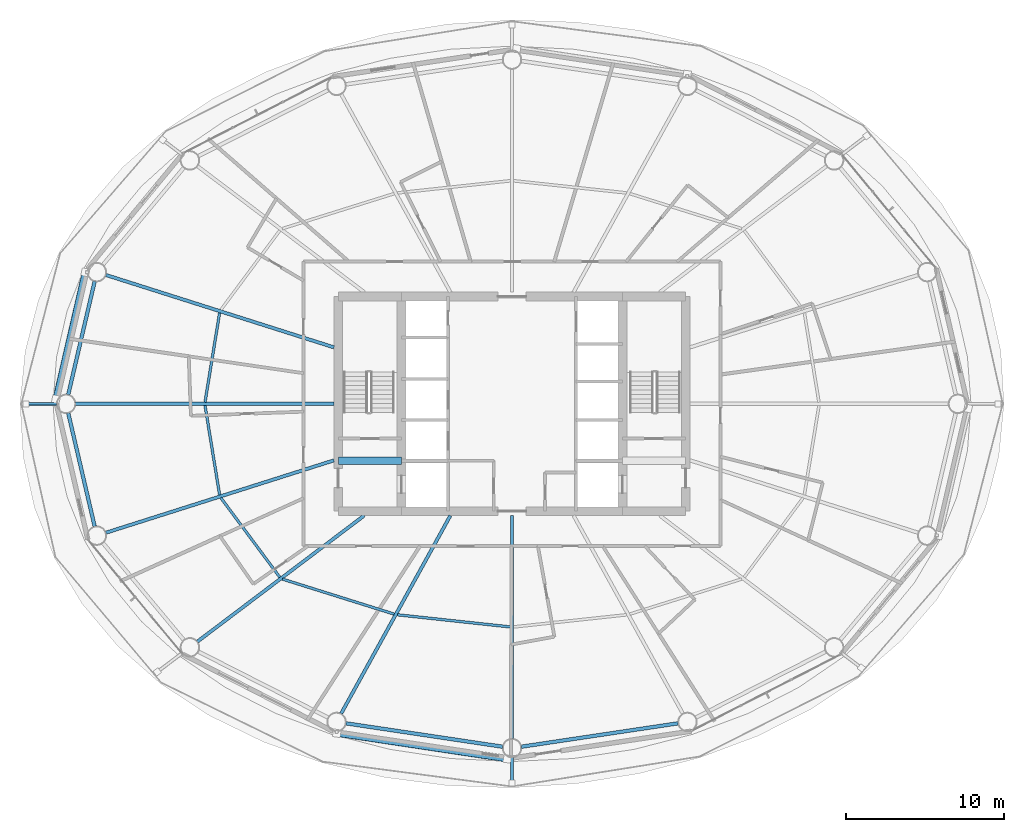
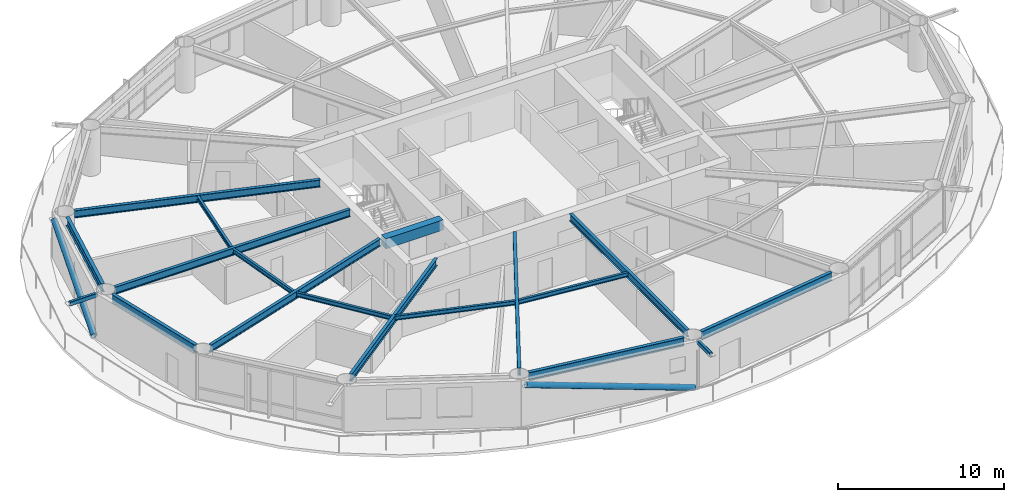
# One storey, part 3 of 24: 16 beams, 4 members.
"""IFC4 building model written with IfcOpenShell, lengths in metres."""

from ifc_helpers import new_model, si_unit, direction, frame, origin, origin_2d, place, context, subcontext, project, spatial, rectangle, hollow_rectangle, hollow_circle, i_section, extrude, material, material_profile, profile_set, type_object, element, save


model = new_model("IFC4")

# Units and contexts
model_context = context("Model", 3, precision=1e-05, world=origin(), true_north=direction((0.0, 1.0)))
body_context = subcontext(model_context, "Body", "Model", "MODEL_VIEW")
ifc_project = project(units=[si_unit("LENGTHUNIT", "METRE"), si_unit("AREAUNIT", "SQUARE_METRE"), si_unit("VOLUMEUNIT", "CUBIC_METRE"), si_unit("PLANEANGLEUNIT", "RADIAN"), si_unit("MASSUNIT", "GRAM", prefix="KILO")], contexts=[model_context])

# Site, building, storey
site_placement = place(None, origin())
site = spatial("IfcSite", under=ifc_project, at=site_placement, CompositionType="ELEMENT")
building_placement = place(site_placement, origin())
building = spatial("IfcBuilding", under=site, at=building_placement, Name="Sarneth Arch Tower", CompositionType="ELEMENT")
storey_placement = place(building_placement, frame((0.0, 0.0, 116.39990234375)))
storey = spatial("IfcBuildingStorey", under=building, at=storey_placement, Name="L29", CompositionType="ELEMENT", Elevation=116.39990234375)

# Beams
ifc_material_1 = material(Name="Steel S355", Category="steel")
ifc_material_profile_1 = material_profile(ifc_material_1, i_section(OverallWidth=0.1669921875, OverallDepth=0.31689453125, WebThickness=0.007568359375, FlangeThickness=0.01318359375, FilletRadius=0.012939453125, at=origin_2d()), Name="W310x52")
ifc_profile_set_1 = profile_set([ifc_material_profile_1], Name="Steel S355")
beam_type_1 = type_object("IfcBeamType", Name="BM-JOIST-310B", PredefinedType="JOIST", material=ifc_profile_set_1)
for number, where, z_axis, x_axis, name in (
    (1, (29.48583984375, 47.76513671875, 3.2216796875), (-0.16118181609, -0.986924729735, 0.0), (0.986924729735, -0.16118181609, 0.0), "L29 Secondary floor joist 08"),
    (2, (28.561279296875, 41.89599609375, 3.2216796875), (0.16118181609, -0.986924729735, 0.0), (0.986924729735, 0.16118181609, 0.0), "L29 Secondary floor joist 09"),
):
    element("IfcBeam", number, at=place(storey_placement, frame(where, z_axis=z_axis, x_axis=x_axis)), inside=storey, type_object=beam_type_1, Name=name, PredefinedType="JOIST", context=body_context, shape_type="SweptSolid", body=[
        extrude(i_section(OverallWidth=0.1669921875, OverallDepth=0.31689453125, WebThickness=0.007568359375, FlangeThickness=0.01318359375, FilletRadius=0.012939453125, at=origin_2d()), origin(), (0.0, 0.0, 1.0), 5.736083984375),
    ])
beam_1_placement = place(storey_placement, frame((29.565673828125, 36.0458984375, 3.2216796875), z_axis=(0.596098474255, -0.802911333206, 0.0), x_axis=(0.802911333206, 0.596098474255, 0.0)))
element("IfcBeam", 3, at=beam_1_placement, inside=storey, type_object=beam_type_1, Name="L29 Secondary floor joist 10", PredefinedType="JOIST", context=body_context, shape_type="SweptSolid", body=[
    extrude(i_section(OverallWidth=0.1669921875, OverallDepth=0.31689453125, WebThickness=0.007568359375, FlangeThickness=0.01318359375, FilletRadius=0.012939453125, at=origin_2d()), origin(), (0.0, 0.0, 1.0), 6.259033203125),
])
beam_2_placement = place(storey_placement, frame((33.460205078125, 30.904296875, 3.2216796875), z_axis=(0.954245982384, -0.299022750146, 0.0), x_axis=(0.299022750146, 0.954245982384, 0.0)))
element("IfcBeam", 4, at=beam_2_placement, inside=storey, type_object=beam_type_1, Name="L29 Secondary floor joist 11", PredefinedType="JOIST", context=body_context, shape_type="SweptSolid", body=[
    extrude(i_section(OverallWidth=0.1669921875, OverallDepth=0.31689453125, WebThickness=0.007568359375, FlangeThickness=0.01318359375, FilletRadius=0.012939453125, at=origin_2d()), origin(), (0.0, 0.0, 1.0), 7.416748046875),
])
beam_3_placement = place(storey_placement, frame((40.7431640625, 28.6435546875, 3.2216796875), z_axis=(0.994257420028, -0.107014871487, 0.0), x_axis=(0.107014871487, 0.994257420028, 0.0)))
element("IfcBeam", 5, at=beam_3_placement, inside=storey, type_object=beam_type_1, Name="L29 Secondary floor joist 12", PredefinedType="JOIST", context=body_context, shape_type="SweptSolid", body=[
    extrude(i_section(OverallWidth=0.1669921875, OverallDepth=0.31689453125, WebThickness=0.007568359375, FlangeThickness=0.01318359375, FilletRadius=0.012939453125, at=origin_2d()), origin(), (0.0, 0.0, 1.0), 7.193115234375),
])
ifc_material_2 = material(Name="Concrete C50/60", Category="concrete")
ifc_material_profile_2 = material_profile(ifc_material_2, rectangle(XDim=0.5, YDim=0.75, at=origin_2d()), Name="RC-500x750")
ifc_profile_set_2 = profile_set([ifc_material_profile_2], Name="Concrete C50/60")
beam_type_2 = type_object("IfcBeamType", Name="BM-LINTEL-RC", PredefinedType="LINTEL", material=ifc_profile_set_2)
beam_4_placement = place(storey_placement, frame((37.0, 38.39990234375, 3.005126953125), z_axis=(1.0, 0.0, 0.0), x_axis=(0.0, 1.0, 0.0)))
element("IfcBeam", 6, at=beam_4_placement, inside=storey, type_object=beam_type_2, Name="L29 Core coupling lintel W", PredefinedType="LINTEL", context=body_context, shape_type="SweptSolid", body=[
    extrude(rectangle(XDim=0.5, YDim=0.75, at=origin_2d()), origin(), (0.0, 0.0, 1.0), 4.0),
])
ifc_material_3 = material(Name="Steel S355", Category="steel")
ifc_material_profile_3 = material_profile(ifc_material_3, i_section(OverallWidth=0.2109375, OverallDepth=0.5390625, WebThickness=0.01171875, FlangeThickness=0.018798828125, FilletRadius=0.01806640625, at=origin_2d()), Name="W530x109")
ifc_profile_set_3 = profile_set([ifc_material_profile_3], Name="Steel S355")
beam_type_3 = type_object("IfcBeamType", Name="BM-RAD-530B", PredefinedType="BEAM", material=ifc_profile_set_3)
beam_5_placement = place(storey_placement, frame((36.72509765625, 45.57763671875, 3.110595703125), z_axis=(-0.953162461637, 0.302458793435, 0.0), x_axis=(-0.302458793435, -0.953162461637, 0.0)))
element("IfcBeam", 7, at=beam_5_placement, inside=storey, type_object=beam_type_3, Name="L29 Radial floor girder 08", PredefinedType="BEAM", context=body_context, shape_type="SweptSolid", body=[
    extrude(i_section(OverallWidth=0.2109375, OverallDepth=0.5390625, WebThickness=0.01171875, FlangeThickness=0.018798828125, FilletRadius=0.01806640625, at=origin_2d()), origin(), (0.0, 0.0, 1.0), 15.154052734375),
])
beam_6_placement = place(storey_placement, frame((36.72509765625, 42.0, 3.110595703125), z_axis=(-1.0, 0.0, 0.0), x_axis=(0.0, -1.0, 0.0)))
element("IfcBeam", 8, at=beam_6_placement, inside=storey, type_object=beam_type_3, Name="L29 Radial floor girder 09", PredefinedType="BEAM", context=body_context, shape_type="SweptSolid", body=[
    extrude(i_section(OverallWidth=0.2109375, OverallDepth=0.5390625, WebThickness=0.01171875, FlangeThickness=0.018798828125, FilletRadius=0.01806640625, at=origin_2d()), origin(), (0.0, 0.0, 1.0), 16.36181640625),
])
beam_7_placement = place(storey_placement, frame((36.72509765625, 38.42236328125, 3.110595703125), z_axis=(-0.953162461637, -0.302458793435, 0.0), x_axis=(0.302458793435, -0.953162461637, 0.0)))
element("IfcBeam", 9, at=beam_7_placement, inside=storey, type_object=beam_type_3, Name="L29 Radial floor girder 10", PredefinedType="BEAM", context=body_context, shape_type="SweptSolid", body=[
    extrude(i_section(OverallWidth=0.2109375, OverallDepth=0.5390625, WebThickness=0.01171875, FlangeThickness=0.018798828125, FilletRadius=0.01806640625, at=origin_2d()), origin(), (0.0, 0.0, 1.0), 15.154052734375),
])
beam_8_placement = place(storey_placement, frame((38.63818359375, 34.925048828125, 3.110595703125), z_axis=(-0.797802835234, -0.602918432371, 0.0), x_axis=(0.602918432371, -0.797802835234, 0.0)))
element("IfcBeam", 10, at=beam_8_placement, inside=storey, type_object=beam_type_3, Name="L29 Radial floor girder 11", PredefinedType="BEAM", context=body_context, shape_type="SweptSolid", body=[
    extrude(i_section(OverallWidth=0.2109375, OverallDepth=0.5390625, WebThickness=0.01171875, FlangeThickness=0.018798828125, FilletRadius=0.01806640625, at=origin_2d()), origin(), (0.0, 0.0, 1.0), 13.232666015625),
])
beam_9_placement = place(storey_placement, frame((44.09716796875, 34.925048828125, 3.110595703125), z_axis=(-0.483021011336, -0.875608761153, 0.0), x_axis=(0.875608761153, -0.483021011336, 0.0)))
element("IfcBeam", 11, at=beam_9_placement, inside=storey, type_object=beam_type_3, Name="L29 Radial floor girder 12", PredefinedType="BEAM", context=body_context, shape_type="SweptSolid", body=[
    extrude(i_section(OverallWidth=0.2109375, OverallDepth=0.5390625, WebThickness=0.01171875, FlangeThickness=0.018798828125, FilletRadius=0.01806640625, at=origin_2d()), origin(), (0.0, 0.0, 1.0), 14.32177734375),
])
beam_10_placement = place(storey_placement, frame((48.0, 34.925048828125, 3.110595703125), z_axis=(0.0, -1.0, 0.0), x_axis=(1.0, 0.0, 0.0)))
element("IfcBeam", 12, at=beam_10_placement, inside=storey, type_object=beam_type_3, Name="L29 Radial floor girder 13", PredefinedType="BEAM", context=body_context, shape_type="SweptSolid", body=[
    extrude(i_section(OverallWidth=0.2109375, OverallDepth=0.5390625, WebThickness=0.01171875, FlangeThickness=0.018798828125, FilletRadius=0.01806640625, at=origin_2d()), origin(), (0.0, 0.0, 1.0), 14.125),
])
ifc_material_4 = material(Name="Steel S355", Category="steel")
ifc_material_profile_4 = material_profile(ifc_material_4, i_section(OverallWidth=0.22900390625, OverallDepth=0.612060546875, WebThickness=0.011962890625, FlangeThickness=0.01953125, FilletRadius=0.01904296875, at=origin_2d()), Name="W610x125")
ifc_profile_set_4 = profile_set([ifc_material_profile_4], Name="Steel S355")
beam_type_4 = type_object("IfcBeamType", Name="BM-SPAN-610C", PredefinedType="SPANDREL", material=ifc_profile_set_4)
for number, where, z_axis, x_axis, name in (
    (13, (21.572509765625, 49.75830078125, 3.07421875), (-0.227088175252, -0.973874201661, 0.0), (0.973874201661, -0.227088175252, 0.0), "L29 Perimeter spandrel beam 08"),
    (14, (19.899658203125, 41.415771484375, 3.07421875), (0.227088175252, -0.973874201661, 0.0), (0.973874201661, 0.227088175252, 0.0), "L29 Perimeter spandrel beam 09"),
):
    element("IfcBeam", number, at=place(storey_placement, frame(where, z_axis=z_axis, x_axis=x_axis)), inside=storey, type_object=beam_type_4, Name=name, PredefinedType="SPANDREL", context=body_context, shape_type="SweptSolid", body=[
        extrude(i_section(OverallWidth=0.22900390625, OverallDepth=0.612060546875, WebThickness=0.011962890625, FlangeThickness=0.01953125, FilletRadius=0.01904296875, at=origin_2d()), origin(), (0.0, 0.0, 1.0), 7.366455078125),
    ])
for number, where, z_axis, x_axis, name in (
    (15, (37.483154296875, 21.770751953125, 3.07421875), (0.989028613319, -0.147724073992, 0.0), (0.147724073992, 0.989028613319, 0.0), "L29 Perimeter spandrel beam 12"),
    (16, (48.593505859375, 20.28857421875, 3.07421875), (0.989028613319, 0.147724073992, 0.0), (-0.147724073992, 0.989028613319, 0.0), "L29 Perimeter spandrel beam 13"),
):
    element("IfcBeam", number, at=place(storey_placement, frame(where, z_axis=z_axis, x_axis=x_axis)), inside=storey, type_object=beam_type_4, Name=name, PredefinedType="SPANDREL", context=body_context, shape_type="SweptSolid", body=[
        extrude(i_section(OverallWidth=0.22900390625, OverallDepth=0.612060546875, WebThickness=0.011962890625, FlangeThickness=0.01953125, FilletRadius=0.01904296875, at=origin_2d()), origin(), (0.0, 0.0, 1.0), 10.033447265625),
    ])

# Members
ifc_material_5 = material(Name="Steel S355", Category="steel")
ifc_material_profile_5 = material_profile(ifc_material_5, hollow_rectangle(XDim=0.199951171875, YDim=0.300048828125, WallThickness=0.012451171875, InnerFilletRadius=0.018798828125, OuterFilletRadius=0.03125, at=origin_2d()), Name="RHS300x200x12.5")
ifc_profile_set_5 = profile_set([ifc_material_profile_5], Name="Steel S355")
member_type_1 = type_object("IfcMemberType", Name="MEM-CANT-STRUT", PredefinedType="STRUT", material=ifc_profile_set_5)
member_1_placement = place(storey_placement, frame((19.163330078125, 42.0, 3.22021484375), z_axis=(-1.0, 0.0, 0.0), x_axis=(0.0, -1.0, 0.0)))
element("IfcMember", 17, at=member_1_placement, inside=storey, type_object=member_type_1, Name="L29 Balcony cantilever bracket 09", PredefinedType="STRUT", context=body_context, shape_type="SweptSolid", body=[
    extrude(hollow_rectangle(XDim=0.199951171875, YDim=0.300048828125, WallThickness=0.012451171875, InnerFilletRadius=0.018798828125, OuterFilletRadius=0.03125, at=origin_2d()), origin(), (0.0, 0.0, 1.0), 1.95166015625),
])
member_2_placement = place(storey_placement, frame((48.0, 19.60009765625, 3.22021484375), z_axis=(0.0, -1.0, 0.0), x_axis=(1.0, 0.0, 0.0)))
element("IfcMember", 18, at=member_2_placement, inside=storey, type_object=member_type_1, Name="L29 Balcony cantilever bracket 13", PredefinedType="STRUT", context=body_context, shape_type="SweptSolid", body=[
    extrude(hollow_rectangle(XDim=0.199951171875, YDim=0.300048828125, WallThickness=0.012451171875, InnerFilletRadius=0.018798828125, OuterFilletRadius=0.03125, at=origin_2d()), origin(), (0.0, 0.0, 1.0), 1.598388671875),
])
ifc_material_6 = material(Name="Steel S355", Category="steel")
ifc_material_profile_6 = material_profile(ifc_material_6, hollow_circle(Radius=0.202880859375, WallThickness=0.01611328125, at=origin_2d()), Name="CHS406x16")
ifc_profile_set_6 = profile_set([ifc_material_profile_6], Name="Steel S355")
member_type_2 = type_object("IfcMemberType", Name="MEM-DIAG-BR2", PredefinedType="BRACE", material=ifc_profile_set_6)
member_3_placement = place(storey_placement, frame((19.121337890625, 42.292236328125, 0.02001953125), z_axis=(0.211849757262, 0.915864196825, 0.341046116123), x_axis=(-0.974275349464, 0.225360918143, 0.0)))
element("IfcMember", 19, at=member_3_placement, inside=storey, type_object=member_type_2, Name="L29 Perimeter frame diagonal 08", PredefinedType="BRACE", context=body_context, shape_type="SweptSolid", body=[
    extrude(hollow_circle(Radius=0.202880859375, WallThickness=0.01611328125, at=origin_2d()), origin(), (0.0, 0.0, 1.0), 8.775634765625),
])
member_4_placement = place(storey_placement, frame((47.703369140625, 19.5146484375, 0.02001953125), z_axis=(-0.953667510586, 0.143607606182, 0.26437688004), x_axis=(-0.148905755657, -0.988851392239, 0.0)))
element("IfcMember", 20, at=member_4_placement, inside=storey, type_object=member_type_2, Name="L29 Perimeter frame diagonal 12", PredefinedType="BRACE", context=body_context, shape_type="SweptSolid", body=[
    extrude(hollow_circle(Radius=0.202880859375, WallThickness=0.01611328125, at=origin_2d()), origin(), (0.0, 0.0, 1.0), 11.320556640625),
])

save(model, "model.ifc")
